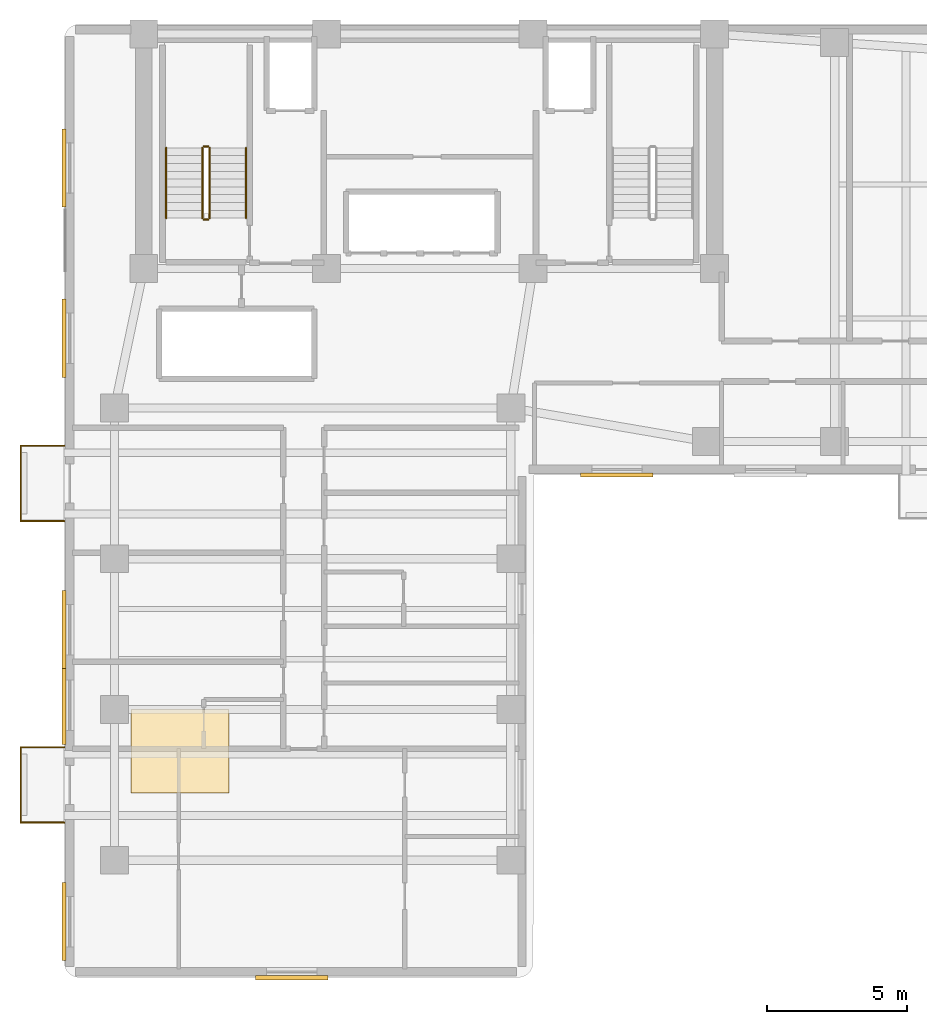
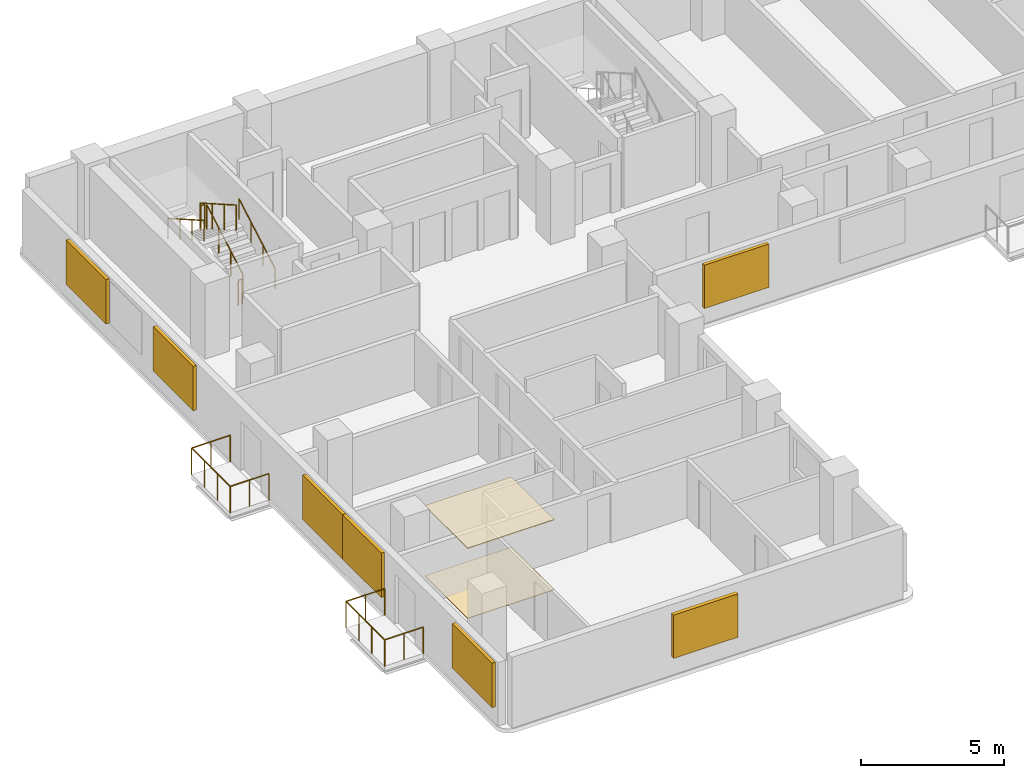
# One storey, part 6 of 7: 12 railings, 7 shading devices, 2 coverings.
"""IFC4 building model written with IfcOpenShell, lengths in metres."""

from ifc_helpers import new_model, si_unit, direction, frame, origin, origin_2d, place, context, subcontext, project, spatial, polyline, rectangle, circle, outline, extrude, material, layer, layer_set, type_object, element, save


model = new_model("IFC4")

# Units and contexts
model_context = context("Model", 3, precision=1e-05, world=origin(), true_north=direction((0.0, 1.0)))
body_context = subcontext(model_context, "Body", "Model", "MODEL_VIEW")
ifc_project = project(units=[si_unit("LENGTHUNIT", "METRE"), si_unit("AREAUNIT", "SQUARE_METRE"), si_unit("VOLUMEUNIT", "CUBIC_METRE"), si_unit("PLANEANGLEUNIT", "RADIAN"), si_unit("MASSUNIT", "GRAM", prefix="KILO")], contexts=[model_context])

# Site, building, storey
site_placement = place(None, origin())
site = spatial("IfcSite", under=ifc_project, at=site_placement, CompositionType="ELEMENT")
building_placement = place(site_placement, origin())
building = spatial("IfcBuilding", under=site, at=building_placement, Name="Kuzgunbayir Cultural Tower", CompositionType="ELEMENT")
storey_placement = place(building_placement, frame((0.0, 0.0, 145.800048828125)))
storey = spatial("IfcBuildingStorey", under=building, at=storey_placement, Name="L42", CompositionType="ELEMENT", Elevation=145.800048828125)

# Coverings
ifc_material_1 = material(Name="Perforated Gypsum Acoustic Tile", Category="gypsum")
ifc_layer_1 = layer(ifc_material_1, 0.02490234375)
ifc_layer_set_1 = layer_set([ifc_layer_1], Name="Perforated Gypsum Acoustic Tile")
covering_type_1 = type_object("IfcCoveringType", Name="COV-CEIL-ACOUSTIC", PredefinedType="CEILING", material=ifc_layer_set_1)
covering_1_placement = place(storey_placement, frame((0.0, 0.0, 2.989990234375)))
element("IfcCovering", 1, at=covering_1_placement, inside=storey, type_object=covering_type_1, Name="L42 Acoustic Soffit Ceiling", PredefinedType="CEILING", context=body_context, shape_type="SweptSolid", body=[
    extrude(outline(polyline([(6.0, 15.0), (9.5, 15.0), (9.5, 18.0), (6.0, 18.0), (6.0, 15.0)])), origin(), (0.0, 0.0, 1.0), 0.030029296875),
])
ifc_material_2 = material(Name="Engineered Anatolian Oak Parquet", Category="wood")
ifc_layer_2 = layer(ifc_material_2, 0.02197265625)
ifc_layer_set_2 = layer_set([ifc_layer_2], Name="Engineered Anatolian Oak Parquet")
covering_type_2 = type_object("IfcCoveringType", Name="COV-FLOOR-OAK", PredefinedType="FLOORING", material=ifc_layer_set_2)
covering_2_placement = place(storey_placement, origin())
element("IfcCovering", 2, at=covering_2_placement, inside=storey, type_object=covering_type_2, Name="L42 Acoustic Floor Finish", PredefinedType="FLOORING", context=body_context, shape_type="SweptSolid", body=[
    extrude(outline(polyline([(6.0, 15.0), (9.5, 15.0), (9.5, 18.0), (6.0, 18.0), (6.0, 15.0)])), origin(), (0.0, 0.0, 1.0), 0.02001953125),
])

# Railings
ifc_material_3 = material(Name="Laminated Glass and Stainless Steel", Category="steel")
ifc_layer_3 = layer(ifc_material_3, 0.080078125)
ifc_layer_set_3 = layer_set([ifc_layer_3], Name="Laminated Glass and Stainless Steel")
railing_type_1 = type_object("IfcRailingType", Name="RLG-BAL-115", PredefinedType="BALUSTRADE", material=ifc_layer_set_3)
railing_1_placement = place(storey_placement, frame((3.60009765625, 13.949951171875, 0.0)))
element("IfcRailing", 3, at=railing_1_placement, inside=storey, type_object=railing_type_1, Name="L42 Balcony Guard BAL-L42-WA1 Segment 1", PredefinedType="BALUSTRADE", context=body_context, shape_type="SweptSolid", body=[
    extrude(circle(Radius=0.02392578125, at=origin_2d()), frame((0.0, 0.0, 1.1259765625), z_axis=(-1.0, 0.0, 0.0), x_axis=(0.0, -1.0, 0.0)), (0.0, 0.0, 1.0), 1.56005859375),
    extrude(circle(Radius=0.02099609375, at=origin_2d()), origin(), (0.0, 0.0, 1.0), 1.101806640625),
    extrude(circle(Radius=0.02099609375, at=origin_2d()), frame((-0.780029296875, 0.0, 0.0)), (0.0, 0.0, 1.0), 1.101806640625),
    extrude(circle(Radius=0.02099609375, at=origin_2d()), frame((-1.56005859375, 0.0, 0.0)), (0.0, 0.0, 1.0), 1.101806640625),
])
railing_2_placement = place(storey_placement, frame((2.0400390625, 13.949951171875, 0.0)))
element("IfcRailing", 4, at=railing_2_placement, inside=storey, type_object=railing_type_1, Name="L42 Balcony Guard BAL-L42-WA1 Segment 2", PredefinedType="BALUSTRADE", context=body_context, shape_type="SweptSolid", body=[
    extrude(circle(Radius=0.02392578125, at=origin_2d()), frame((0.0, 0.0, 1.1259765625), z_axis=(0.0, 1.0, 0.0), x_axis=(-1.0, 0.0, 0.0)), (0.0, 0.0, 1.0), 2.699951171875),
    extrude(circle(Radius=0.02099609375, at=origin_2d()), origin(), (0.0, 0.0, 1.0), 1.101806640625),
    extrude(circle(Radius=0.02099609375, at=origin_2d()), frame((0.0, 0.89990234375, 0.0)), (0.0, 0.0, 1.0), 1.101806640625),
    extrude(circle(Radius=0.02099609375, at=origin_2d()), frame((0.0, 1.800048828125, 0.0)), (0.0, 0.0, 1.0), 1.101806640625),
    extrude(circle(Radius=0.02099609375, at=origin_2d()), frame((0.0, 2.699951171875, 0.0)), (0.0, 0.0, 1.0), 1.101806640625),
])
railing_3_placement = place(storey_placement, frame((2.0400390625, 16.64990234375, 0.0)))
element("IfcRailing", 5, at=railing_3_placement, inside=storey, type_object=railing_type_1, Name="L42 Balcony Guard BAL-L42-WA1 Segment 3", PredefinedType="BALUSTRADE", context=body_context, shape_type="SweptSolid", body=[
    extrude(circle(Radius=0.02392578125, at=origin_2d()), frame((0.0, 0.0, 1.1259765625), z_axis=(1.0, 0.0, 0.0), x_axis=(0.0, 1.0, 0.0)), (0.0, 0.0, 1.0), 1.56005859375),
    extrude(circle(Radius=0.02099609375, at=origin_2d()), origin(), (0.0, 0.0, 1.0), 1.101806640625),
    extrude(circle(Radius=0.02099609375, at=origin_2d()), frame((0.780029296875, 0.0, 0.0)), (0.0, 0.0, 1.0), 1.101806640625),
    extrude(circle(Radius=0.02099609375, at=origin_2d()), frame((1.56005859375, 0.0, 0.0)), (0.0, 0.0, 1.0), 1.101806640625),
])
railing_4_placement = place(storey_placement, frame((3.60009765625, 24.75, 0.0)))
element("IfcRailing", 6, at=railing_4_placement, inside=storey, type_object=railing_type_1, Name="L42 Balcony Guard BAL-L42-WA3 Segment 1", PredefinedType="BALUSTRADE", context=body_context, shape_type="SweptSolid", body=[
    extrude(circle(Radius=0.02392578125, at=origin_2d()), frame((0.0, 0.0, 1.1259765625), z_axis=(-1.0, 0.0, 0.0), x_axis=(0.0, -1.0, 0.0)), (0.0, 0.0, 1.0), 1.56005859375),
    extrude(circle(Radius=0.02099609375, at=origin_2d()), origin(), (0.0, 0.0, 1.0), 1.101806640625),
    extrude(circle(Radius=0.02099609375, at=origin_2d()), frame((-0.780029296875, 0.0, 0.0)), (0.0, 0.0, 1.0), 1.101806640625),
    extrude(circle(Radius=0.02099609375, at=origin_2d()), frame((-1.56005859375, 0.0, 0.0)), (0.0, 0.0, 1.0), 1.101806640625),
])
railing_5_placement = place(storey_placement, frame((2.0400390625, 24.75, 0.0)))
element("IfcRailing", 7, at=railing_5_placement, inside=storey, type_object=railing_type_1, Name="L42 Balcony Guard BAL-L42-WA3 Segment 2", PredefinedType="BALUSTRADE", context=body_context, shape_type="SweptSolid", body=[
    extrude(circle(Radius=0.02392578125, at=origin_2d()), frame((0.0, 0.0, 1.1259765625), z_axis=(0.0, 1.0, 0.0), x_axis=(-1.0, 0.0, 0.0)), (0.0, 0.0, 1.0), 2.699951171875),
    extrude(circle(Radius=0.02099609375, at=origin_2d()), origin(), (0.0, 0.0, 1.0), 1.101806640625),
    extrude(circle(Radius=0.02099609375, at=origin_2d()), frame((0.0, 0.89990234375, 0.0)), (0.0, 0.0, 1.0), 1.101806640625),
    extrude(circle(Radius=0.02099609375, at=origin_2d()), frame((0.0, 1.800048828125, 0.0)), (0.0, 0.0, 1.0), 1.101806640625),
    extrude(circle(Radius=0.02099609375, at=origin_2d()), frame((0.0, 2.699951171875, 0.0)), (0.0, 0.0, 1.0), 1.101806640625),
])
railing_6_placement = place(storey_placement, frame((2.0400390625, 27.449951171875, 0.0)))
element("IfcRailing", 8, at=railing_6_placement, inside=storey, type_object=railing_type_1, Name="L42 Balcony Guard BAL-L42-WA3 Segment 3", PredefinedType="BALUSTRADE", context=body_context, shape_type="SweptSolid", body=[
    extrude(circle(Radius=0.02392578125, at=origin_2d()), frame((0.0, 0.0, 1.1259765625), z_axis=(1.0, 0.0, 0.0), x_axis=(0.0, 1.0, 0.0)), (0.0, 0.0, 1.0), 1.56005859375),
    extrude(circle(Radius=0.02099609375, at=origin_2d()), origin(), (0.0, 0.0, 1.0), 1.101806640625),
    extrude(circle(Radius=0.02099609375, at=origin_2d()), frame((0.780029296875, 0.0, 0.0)), (0.0, 0.0, 1.0), 1.101806640625),
    extrude(circle(Radius=0.02099609375, at=origin_2d()), frame((1.56005859375, 0.0, 0.0)), (0.0, 0.0, 1.0), 1.101806640625),
])
ifc_material_4 = material(Name="Brushed Stainless Steel", Category="steel")
ifc_layer_4 = layer(ifc_material_4, 0.050048828125)
ifc_layer_set_4 = layer_set([ifc_layer_4], Name="Brushed Stainless Steel")
railing_type_2 = type_object("IfcRailingType", Name="RLG-STAIR-HANDRAIL", PredefinedType="HANDRAIL", material=ifc_layer_set_4)
railing_7_placement = place(storey_placement, frame((10.110107421875, 35.60009765625, 0.159912109375)))
element("IfcRailing", 9, at=railing_7_placement, inside=storey, type_object=railing_type_2, Name="L42 ST-1 stair handrail 1", PredefinedType="HANDRAIL", context=body_context, shape_type="SweptSolid", body=[
    extrude(circle(Radius=0.02392578125, at=origin_2d()), frame((0.0, 0.0, 0.8759765625), z_axis=(0.0, 0.868253494771, 0.496120820787), x_axis=(-1.0, 0.0, 0.0)), (0.0, 0.0, 1.0), 2.90234375),
    extrude(circle(Radius=0.02099609375, at=origin_2d()), origin(), (0.0, 0.0, 1.0), 0.851806640625),
    extrude(circle(Radius=0.02099609375, at=origin_2d()), frame((0.0, 0.840087890625, 0.47998046875)), (0.0, 0.0, 1.0), 0.851806640625),
    extrude(circle(Radius=0.02099609375, at=origin_2d()), frame((0.0, 1.679931640625, 0.9599609375)), (0.0, 0.0, 1.0), 0.851806640625),
    extrude(circle(Radius=0.02099609375, at=origin_2d()), frame((0.0, 2.52001953125, 1.43994140625)), (0.0, 0.0, 1.0), 0.851806640625),
])
railing_8_placement = place(storey_placement, frame((7.25, 38.1201171875, 1.760009765625)))
element("IfcRailing", 10, at=railing_8_placement, inside=storey, type_object=railing_type_2, Name="L42 ST-1 stair handrail 2", PredefinedType="HANDRAIL", context=body_context, shape_type="SweptSolid", body=[
    extrude(circle(Radius=0.02392578125, at=origin_2d()), frame((0.0, 0.0, 0.8759765625), z_axis=(0.0, -0.868253494771, 0.496120820787), x_axis=(1.0, 0.0, 0.0)), (0.0, 0.0, 1.0), 2.90234375),
    extrude(circle(Radius=0.02099609375, at=origin_2d()), origin(), (0.0, 0.0, 1.0), 0.851806640625),
    extrude(circle(Radius=0.02099609375, at=origin_2d()), frame((0.0, -0.840087890625, 0.47998046875)), (0.0, 0.0, 1.0), 0.851806640625),
    extrude(circle(Radius=0.02099609375, at=origin_2d()), frame((0.0, -1.679931640625, 0.9599609375)), (0.0, 0.0, 1.0), 0.851806640625),
    extrude(circle(Radius=0.02099609375, at=origin_2d()), frame((0.0, -2.52001953125, 1.43994140625)), (0.0, 0.0, 1.0), 0.851806640625),
])
ifc_material_5 = material(Name="Painted Steel Balustrade", Category="steel")
ifc_layer_5 = layer(ifc_material_5, 0.06005859375)
ifc_layer_set_5 = layer_set([ifc_layer_5], Name="Painted Steel Balustrade")
railing_type_3 = type_object("IfcRailingType", Name="RLG-WELL-GUARD", PredefinedType="GUARDRAIL", material=ifc_layer_set_5)
railing_9_placement = place(storey_placement, frame((8.81005859375, 35.60009765625, 0.159912109375)))
element("IfcRailing", 11, at=railing_9_placement, inside=storey, type_object=railing_type_3, Name="L42 ST-1 stair guard 1", PredefinedType="GUARDRAIL", context=body_context, shape_type="SweptSolid", body=[
    extrude(circle(Radius=0.02392578125, at=origin_2d()), frame((0.0, 0.0, 1.076171875), z_axis=(0.0, 0.868253494771, 0.496120820787), x_axis=(-1.0, 0.0, 0.0)), (0.0, 0.0, 1.0), 2.90234375),
    extrude(circle(Radius=0.02099609375, at=origin_2d()), origin(), (0.0, 0.0, 1.0), 1.052001953125),
    extrude(circle(Radius=0.02099609375, at=origin_2d()), frame((0.0, 0.840087890625, 0.47998046875)), (0.0, 0.0, 1.0), 1.052001953125),
    extrude(circle(Radius=0.02099609375, at=origin_2d()), frame((0.0, 1.679931640625, 0.9599609375)), (0.0, 0.0, 1.0), 1.052001953125),
    extrude(circle(Radius=0.02099609375, at=origin_2d()), frame((0.0, 2.52001953125, 1.43994140625)), (0.0, 0.0, 1.0), 1.052001953125),
])
railing_10_placement = place(storey_placement, frame((8.760009765625, 38.169921875, 1.599853515625)))
element("IfcRailing", 12, at=railing_10_placement, inside=storey, type_object=railing_type_3, Name="L42 ST-1 stair guard 2", PredefinedType="GUARDRAIL", context=body_context, shape_type="SweptSolid", body=[
    extrude(circle(Radius=0.02392578125, at=origin_2d()), frame((0.0, 0.0, 1.076171875), z_axis=(-1.0, 0.0, 0.0), x_axis=(0.0, -1.0, 0.0)), (0.0, 0.0, 1.0), 0.159912109375),
    extrude(circle(Radius=0.02099609375, at=origin_2d()), origin(), (0.0, 0.0, 1.0), 1.052001953125),
    extrude(circle(Radius=0.02099609375, at=origin_2d()), frame((-0.159912109375, 0.0, 0.0)), (0.0, 0.0, 1.0), 1.052001953125),
])
railing_11_placement = place(storey_placement, frame((8.550048828125, 38.1201171875, 1.760009765625)))
element("IfcRailing", 13, at=railing_11_placement, inside=storey, type_object=railing_type_3, Name="L42 ST-1 stair guard 3", PredefinedType="GUARDRAIL", context=body_context, shape_type="SweptSolid", body=[
    extrude(circle(Radius=0.02392578125, at=origin_2d()), frame((0.0, 0.0, 1.076171875), z_axis=(0.0, -0.868253494771, 0.496120820787), x_axis=(1.0, 0.0, 0.0)), (0.0, 0.0, 1.0), 2.90234375),
    extrude(circle(Radius=0.02099609375, at=origin_2d()), origin(), (0.0, 0.0, 1.0), 1.052001953125),
    extrude(circle(Radius=0.02099609375, at=origin_2d()), frame((0.0, -0.840087890625, 0.47998046875)), (0.0, 0.0, 1.0), 1.052001953125),
    extrude(circle(Radius=0.02099609375, at=origin_2d()), frame((0.0, -1.679931640625, 0.9599609375)), (0.0, 0.0, 1.0), 1.052001953125),
    extrude(circle(Radius=0.02099609375, at=origin_2d()), frame((0.0, -2.52001953125, 1.43994140625)), (0.0, 0.0, 1.0), 1.052001953125),
])
railing_12_placement = place(storey_placement, frame((8.760009765625, 35.550048828125, 0.0)))
element("IfcRailing", 14, at=railing_12_placement, inside=storey, type_object=railing_type_3, Name="L42 ST-1 stair guard 4", PredefinedType="GUARDRAIL", context=body_context, shape_type="SweptSolid", body=[
    extrude(circle(Radius=0.02392578125, at=origin_2d()), frame((0.0, 0.0, 1.076171875), z_axis=(-1.0, 0.0, 0.0), x_axis=(0.0, -1.0, 0.0)), (0.0, 0.0, 1.0), 0.159912109375),
    extrude(circle(Radius=0.02099609375, at=origin_2d()), origin(), (0.0, 0.0, 1.0), 1.052001953125),
    extrude(circle(Radius=0.02099609375, at=origin_2d()), frame((-0.159912109375, 0.0, 0.0)), (0.0, 0.0, 1.0), 1.052001953125),
])

# Shading devices
ifc_material_6 = material(Name="Perforated Bronze-Anodised Aluminium", Category="aluminium")
shading_device_type_1 = type_object("IfcShadingDeviceType", Name="SHD-SOLAR-BRONZE", PredefinedType="JALOUSIE", material=ifc_material_6)
for number, where, z_axis, x_axis, name in (
    (15, (3.590087890625, 18.14990234375, 0.7099609375), (0.0, 0.0, 1.0), (1.0, 0.0, 0.0), "L42 Perforated Bronze Solar Screen WAW1"),
    (16, (3.590087890625, 10.39990234375, 0.7099609375), (0.0, 0.0, 1.0), (1.0, 0.0, 0.0), "L42 Perforated Bronze Solar Screen WAW6"),
    (17, (3.590087890625, 20.860107421875, 0.7099609375), (0.0, 0.0, 1.0), (1.0, 0.0, 0.0), "L42 Perforated Bronze Solar Screen WAW7"),
    (18, (3.590087890625, 31.300048828125, 0.7099609375), (0.0, 0.0, 1.0), (1.0, 0.0, 0.0), "L42 Perforated Bronze Solar Screen WAW8"),
    (19, (3.590087890625, 37.39990234375, 0.7099609375), (0.0, 0.0, 1.0), (1.0, 0.0, 0.0), "L42 Perforated Bronze Solar Screen WAW9"),
):
    element("IfcShadingDevice", number, at=place(storey_placement, frame(where, z_axis=z_axis, x_axis=x_axis)), inside=storey, type_object=shading_device_type_1, Name=name, PredefinedType="JALOUSIE", context=body_context, shape_type="SweptSolid", body=[
        extrude(rectangle(XDim=0.139892578125, YDim=2.800048828125, at=origin_2d()), origin(), (0.0, 0.0, 1.0), 1.89990234375),
    ])
shading_device_1_placement = place(storey_placement, frame((23.39990234375, 26.39990234375, 0.73486328125), z_axis=(0.0, 0.0, 1.0), x_axis=(1.0, 0.0, 0.0)))
element("IfcShadingDevice", 20, at=shading_device_1_placement, inside=storey, type_object=shading_device_type_1, Name="L42 Solar Screen WBS11", PredefinedType="JALOUSIE", context=body_context, shape_type="SweptSolid", body=[
    extrude(rectangle(XDim=2.60009765625, YDim=0.139892578125, at=origin_2d()), origin(), (0.0, 0.0, 1.0), 1.85009765625),
])
ifc_material_7 = material(Name="Warm Terracotta Ceramic Baguette", Category="masonry")
shading_device_type_2 = type_object("IfcShadingDeviceType", Name="SHD-SOLAR-CERAMIC", PredefinedType="SHUTTER", material=ifc_material_7)
shading_device_2_placement = place(storey_placement, frame((11.75, 8.389892578125, 0.804931640625), z_axis=(0.0, 0.0, 1.0), x_axis=(1.0, 0.0, 0.0)))
element("IfcShadingDevice", 21, at=shading_device_2_placement, inside=storey, type_object=shading_device_type_2, Name="L42 Solar Screen WAS2", PredefinedType="SHUTTER", context=body_context, shape_type="SweptSolid", body=[
    extrude(rectangle(XDim=2.60009765625, YDim=0.159912109375, at=origin_2d()), origin(), (0.0, 0.0, 1.0), 1.85009765625),
])

save(model, "model.ifc")
